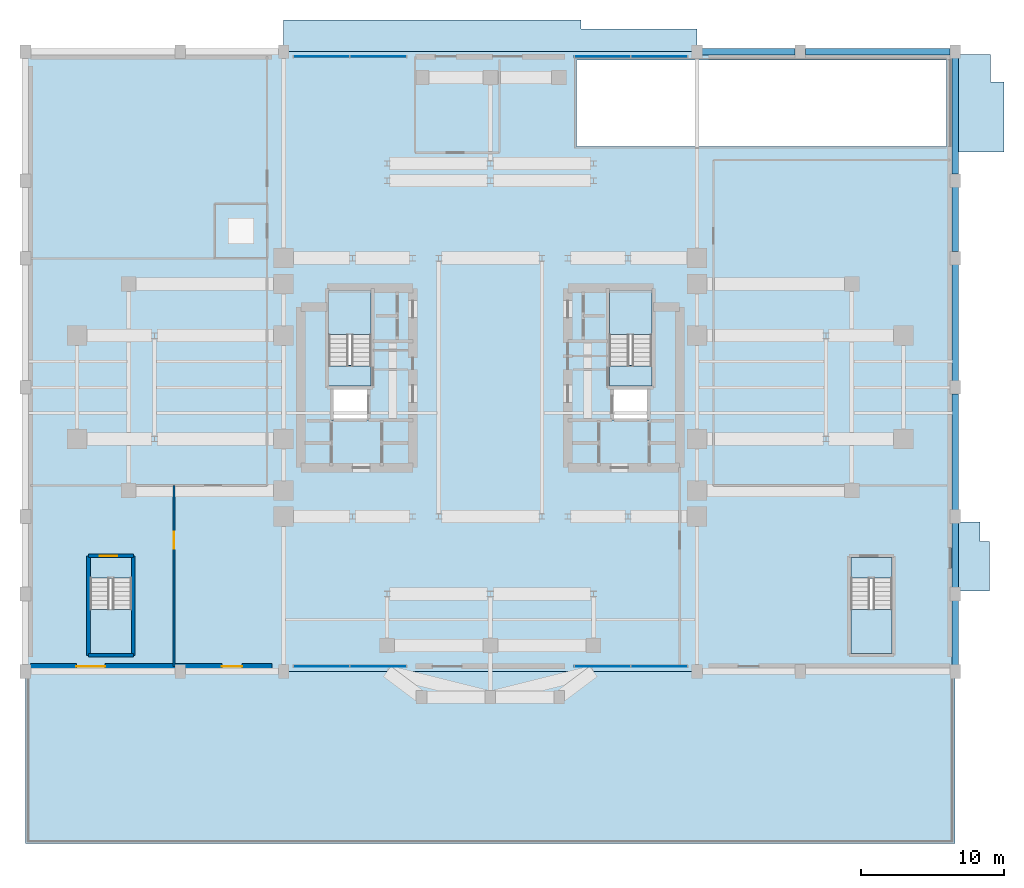
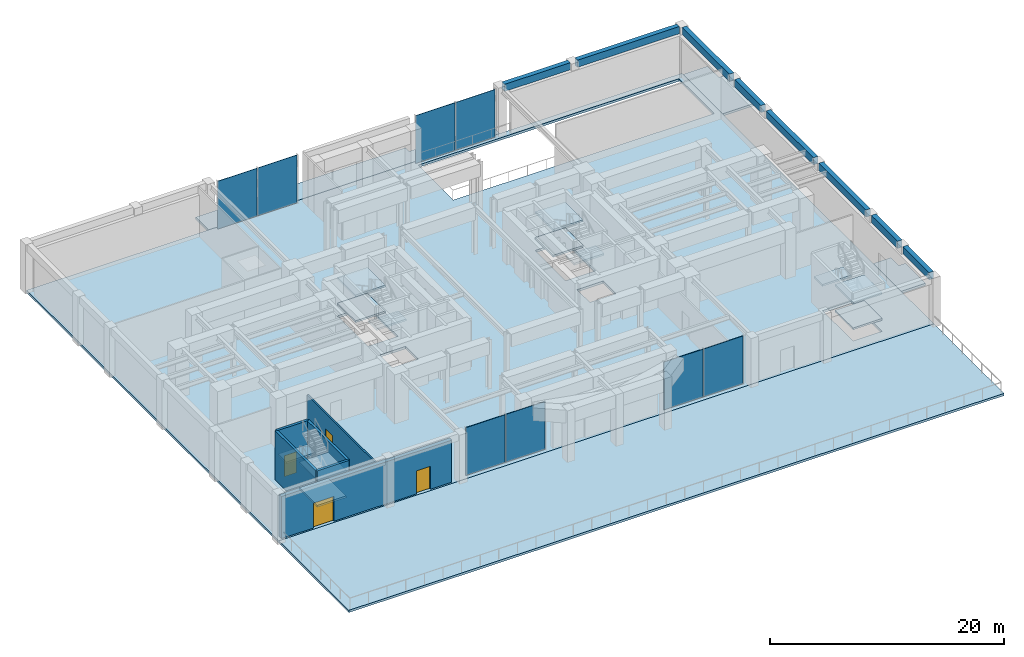
# One storey, part 9 of 17: 17 slabs, 8 beams, 8 plates, 6 walls, 4 doors, 4 openings, 8 elements without a shape of their own.
"""IFC4 building model written with IfcOpenShell, lengths in metres."""

from ifc_helpers import new_model, si_unit, direction, frame, frame_2d, origin, origin_2d, place, context, subcontext, project, spatial, polyline, rectangle, outline, extrude, source, transform, mapped, material, layer, layer_set, material_profile, profile_set, type_object, element, fill, aggregate, save


model = new_model("IFC4")

# Units and contexts
model_context = context("Model", 3, precision=1e-05, world=origin(), true_north=direction((0.0, 1.0)))
body_context = subcontext(model_context, "Body", "Model", "MODEL_VIEW")
ifc_project = project(units=[si_unit("LENGTHUNIT", "METRE"), si_unit("AREAUNIT", "SQUARE_METRE"), si_unit("VOLUMEUNIT", "CUBIC_METRE"), si_unit("PLANEANGLEUNIT", "RADIAN"), si_unit("MASSUNIT", "GRAM", prefix="KILO")], contexts=[model_context])

# Site, building, storey
site_placement = place(None, origin())
site = spatial("IfcSite", under=ifc_project, at=site_placement, CompositionType="ELEMENT")
building_placement = place(site_placement, origin())
building = spatial("IfcBuilding", under=site, at=building_placement, Name="Keilestroom Media Tower", CompositionType="ELEMENT")
storey_placement = place(building_placement, origin())
storey = spatial("IfcBuildingStorey", under=building, at=storey_placement, Name="L00", CompositionType="ELEMENT", Elevation=0.0)

# Beams
ifc_material_1 = material(Name="Precast concrete C40/50", Category="concrete")
ifc_material_profile = material_profile(ifc_material_1, rectangle(XDim=0.449951171875, YDim=0.75, at=origin_2d()), Name="PC 450x750")
ifc_profile_set = profile_set([ifc_material_profile], Name="Precast concrete C40/50")
beam_type = type_object("IfcBeamType", Name="Perimeter-Spandrel-Beam-PC-450x750", PredefinedType="SPANDREL", material=ifc_profile_set)
shared_shape_1 = source(origin(), body_context, "Body", "SweptSolid", [
    extrude(rectangle(XDim=0.449951171875, YDim=0.75, at=origin_2d()), origin(), (0.0, 0.0, 1.0), 10.08984375),
])
beam_1_placement = place(storey_placement, frame((21.955078125, 23.39990234375, 4.77490234375), z_axis=(1.0, 0.0, 0.0), x_axis=(0.0, 1.0, 0.0)))
element("IfcBeam", 1, at=beam_1_placement, inside=storey, type_object=beam_type, Name="L00 Beam SPB-1 BM-L00-EW-044", PredefinedType="SPANDREL", context=body_context, shape_type="MappedRepresentation", body=[
    mapped(shared_shape_1, transform((0.0, 0.0, 0.0), x_axis=(1.0, 0.0, 0.0), y_axis=(0.0, 1.0, 0.0), z_axis=(0.0, 0.0, 1.0), scale=1.0)),
])
shared_shape_2 = source(origin(), body_context, "Body", "SweptSolid", [
    extrude(rectangle(XDim=0.449951171875, YDim=0.75, at=origin_2d()), origin(), (0.0, 0.0, 1.0), 6.490234375),
])
beam_2_placement = place(storey_placement, frame((14.7548828125, 23.39990234375, 4.77490234375), z_axis=(1.0, 0.0, 0.0), x_axis=(0.0, 1.0, 0.0)))
element("IfcBeam", 2, at=beam_2_placement, inside=storey, type_object=beam_type, Name="L00 Beam SPB-1 BM-L00-EW-043", PredefinedType="SPANDREL", context=body_context, shape_type="MappedRepresentation", body=[
    mapped(shared_shape_2, transform((0.0, 0.0, 0.0), x_axis=(1.0, 0.0, 0.0), y_axis=(0.0, 1.0, 0.0), z_axis=(0.0, 0.0, 1.0), scale=1.0)),
])
shared_shape_3 = source(origin(), body_context, "Body", "SweptSolid", [
    extrude(rectangle(XDim=0.449951171875, YDim=0.75, at=origin_2d()), origin(), (0.0, 0.0, 1.0), 4.489990234375),
])
for number, where, z_axis, x_axis, name in (
    (3, (32.39990234375, -19.344970703125, 4.77490234375), (0.0, 1.0, 0.0), (-1.0, 0.0, 0.0), "L00 Beam SPB-1 BM-L00-NS-085"),
    (4, (32.39990234375, -13.945068359375, 4.77490234375), (0.0, 1.0, 0.0), (-1.0, 0.0, 0.0), "L00 Beam SPB-1 BM-L00-NS-086"),
    (5, (32.39990234375, 9.455078125, 4.77490234375), (0.0, 1.0, 0.0), (-1.0, 0.0, 0.0), "L00 Beam SPB-1 BM-L00-NS-089"),
):
    element("IfcBeam", number, at=place(storey_placement, frame(where, z_axis=z_axis, x_axis=x_axis)), inside=storey, type_object=beam_type, Name=name, PredefinedType="SPANDREL", context=body_context, shape_type="MappedRepresentation", body=[
        mapped(shared_shape_3, transform((0.0, 0.0, 0.0), x_axis=(1.0, 0.0, 0.0), y_axis=(0.0, 1.0, 0.0), z_axis=(0.0, 0.0, 1.0), scale=1.0)),
    ])
shared_shape_4 = source(origin(), body_context, "Body", "SweptSolid", [
    extrude(rectangle(XDim=0.449951171875, YDim=0.75, at=origin_2d()), origin(), (0.0, 0.0, 1.0), 8.08984375),
])
for number, where, z_axis, x_axis, name in (
    (6, (32.39990234375, -8.544921875, 4.77490234375), (0.0, 1.0, 0.0), (-1.0, 0.0, 0.0), "L00 Beam SPB-1 BM-L00-NS-087"),
    (7, (32.39990234375, 0.455078125, 4.77490234375), (0.0, 1.0, 0.0), (-1.0, 0.0, 0.0), "L00 Beam SPB-1 BM-L00-NS-088"),
):
    element("IfcBeam", number, at=place(storey_placement, frame(where, z_axis=z_axis, x_axis=x_axis)), inside=storey, type_object=beam_type, Name=name, PredefinedType="SPANDREL", context=body_context, shape_type="MappedRepresentation", body=[
        mapped(shared_shape_4, transform((0.0, 0.0, 0.0), x_axis=(1.0, 0.0, 0.0), y_axis=(0.0, 1.0, 0.0), z_axis=(0.0, 0.0, 1.0), scale=1.0)),
    ])
shared_shape_5 = source(origin(), body_context, "Body", "SweptSolid", [
    extrude(rectangle(XDim=0.449951171875, YDim=0.75, at=origin_2d()), origin(), (0.0, 0.0, 1.0), 8.090087890625),
])
beam_3_placement = place(storey_placement, frame((32.39990234375, 14.85498046875, 4.77490234375), z_axis=(0.0, 1.0, 0.0), x_axis=(-1.0, 0.0, 0.0)))
element("IfcBeam", 8, at=beam_3_placement, inside=storey, type_object=beam_type, Name="L00 Beam SPB-1 BM-L00-NS-090", PredefinedType="SPANDREL", context=body_context, shape_type="MappedRepresentation", body=[
    mapped(shared_shape_5, transform((0.0, 0.0, 0.0), x_axis=(1.0, 0.0, 0.0), y_axis=(0.0, 1.0, 0.0), z_axis=(0.0, 0.0, 1.0), scale=1.0)),
])

# Slab
ifc_material_2 = material(Name="Concrete C50/60", Category="concrete")
ifc_layer_1 = layer(ifc_material_2, 0.25)
ifc_layer_set_1 = layer_set([ifc_layer_1], Name="Concrete C50/60")
slab_type_1 = type_object("IfcSlabType", Name="Composite-Floor-Slab-250", PredefinedType="FLOOR", material=ifc_layer_set_1)
slab_1_placement = place(storey_placement, frame((0.0, 0.0, -0.25)))
element("IfcSlab", 9, at=slab_1_placement, inside=storey, type_object=slab_type_1, Name="L00 Structural Composite Floor Slab", PredefinedType="FLOOR", context=body_context, shape_type="SweptSolid", body=[
    extrude(outline(polyline([(-32.39990234375, -19.800048828125), (32.39990234375, -19.800048828125), (32.39990234375, 23.39990234375), (-32.39990234375, 23.39990234375), (-32.39990234375, -19.800048828125)]), holes=[polyline([(-25.0, -13.3349609375), (-25.0, -18.550048828125), (-27.8798828125, -18.550048828125), (-27.8798828125, -13.3349609375), (-25.0, -13.3349609375)]), polyline([(-8.300048828125, 1.544921875), (-11.260009765625, 1.544921875), (-11.260009765625, 6.760009765625), (-8.300048828125, 6.760009765625), (-8.300048828125, 1.544921875)]), polyline([(-8.47998046875, -2.280029296875), (-11.050048828125, -2.280029296875), (-11.050048828125, -0.10009765625), (-8.47998046875, -0.10009765625), (-8.47998046875, -2.280029296875)]), polyline([(31.800048828125, 16.800048828125), (6.0, 16.800048828125), (6.0, 22.800048828125), (31.800048828125, 22.800048828125), (31.800048828125, 16.800048828125)]), polyline([(11.260009765625, 1.544921875), (8.300048828125, 1.544921875), (8.300048828125, 6.760009765625), (11.260009765625, 6.760009765625), (11.260009765625, 1.544921875)]), polyline([(11.050048828125, -2.280029296875), (8.47998046875, -2.280029296875), (8.47998046875, -0.10009765625), (11.050048828125, -0.10009765625), (11.050048828125, -2.280029296875)]), polyline([(28.0, -18.550048828125), (25.1201171875, -18.550048828125), (25.1201171875, -13.3349609375), (28.0, -13.3349609375), (28.0, -18.550048828125)])]), origin(), (0.0, 0.0, 1.0), 0.25),
])

# Stair, slabs
ifc_material_3 = material(Name="Concrete C45/55", Category="concrete")
stair_type_1 = type_object("IfcStairType", Name="Enclosed-Dog-Leg-Stair-ST-CORE", PredefinedType="HALF_TURN_STAIR", material=ifc_material_3)
stair_1_placement = place(storey_placement, origin())
stair_1 = element("IfcStair", 10, at=stair_1_placement, inside=storey, type_object=stair_type_1, Name="L00 West Core Escape Stair ST-1", PredefinedType="HALF_TURN_STAIR")
ifc_layer_2 = layer(ifc_material_3, 0.199951171875)
ifc_layer_set_2 = layer_set([ifc_layer_2], Name="Concrete C45/55")
slab_type_2 = type_object("IfcSlabType", Name="Stair-Intermediate-And-Top-Landing-Slab-200", PredefinedType="LANDING", material=ifc_layer_set_2)
slab_2_placement = place(storey_placement, frame((0.0, 0.0, 1.14990234375)))
slab_2 = element("IfcSlab", 11, at=slab_2_placement, type_object=slab_type_2, Name="ST-1 landing 1", PredefinedType="LANDING", context=body_context, shape_type="SweptSolid", body=[
    extrude(outline(polyline([(-8.300048828125, 3.68408203125), (-8.300048828125, 6.760009765625), (-11.260009765625, 6.760009765625), (-11.260009765625, 3.68408203125), (-8.300048828125, 3.68408203125)])), origin(), (0.0, 0.0, 1.0), 0.2001953125),
])
slab_3_placement = place(storey_placement, frame((0.0, 0.0, 2.5)))
slab_3 = element("IfcSlab", 12, at=slab_3_placement, type_object=slab_type_2, Name="ST-1 landing 2", PredefinedType="LANDING", context=body_context, shape_type="SweptSolid", body=[
    extrude(outline(polyline([(-8.300048828125, 0.080078125), (-8.300048828125, 1.5), (-11.260009765625, 1.5), (-11.260009765625, 0.080078125), (-8.300048828125, 0.080078125)])), origin(), (0.0, 0.0, 1.0), 0.199951171875),
])
slab_4_placement = place(storey_placement, frame((0.0, 0.0, 3.85009765625)))
slab_4 = element("IfcSlab", 13, at=slab_4_placement, type_object=slab_type_2, Name="ST-1 landing 3", PredefinedType="LANDING", context=body_context, shape_type="SweptSolid", body=[
    extrude(outline(polyline([(-8.300048828125, 3.68408203125), (-8.300048828125, 6.760009765625), (-11.260009765625, 6.760009765625), (-11.260009765625, 3.68408203125), (-8.300048828125, 3.68408203125)])), origin(), (0.0, 0.0, 1.0), 0.199951171875),
])
aggregate(stair_1, [slab_2, slab_3, slab_4])

stair_2_placement = place(storey_placement, origin())
stair_2 = element("IfcStair", 14, at=stair_2_placement, inside=storey, type_object=stair_type_1, Name="L00 East Core Escape Stair ST-2", PredefinedType="HALF_TURN_STAIR")
slab_5_placement = place(storey_placement, frame((0.0, 0.0, 1.14990234375)))
slab_5 = element("IfcSlab", 15, at=slab_5_placement, type_object=slab_type_2, Name="ST-2 landing 1", PredefinedType="LANDING", context=body_context, shape_type="SweptSolid", body=[
    extrude(outline(polyline([(11.260009765625, 3.68408203125), (11.260009765625, 6.760009765625), (8.300048828125, 6.760009765625), (8.300048828125, 3.68408203125), (11.260009765625, 3.68408203125)])), origin(), (0.0, 0.0, 1.0), 0.2001953125),
])
slab_6_placement = place(storey_placement, frame((0.0, 0.0, 2.5)))
slab_6 = element("IfcSlab", 16, at=slab_6_placement, type_object=slab_type_2, Name="ST-2 landing 2", PredefinedType="LANDING", context=body_context, shape_type="SweptSolid", body=[
    extrude(outline(polyline([(11.260009765625, 0.080078125), (11.260009765625, 1.5), (8.300048828125, 1.5), (8.300048828125, 0.080078125), (11.260009765625, 0.080078125)])), origin(), (0.0, 0.0, 1.0), 0.199951171875),
])
slab_7_placement = place(storey_placement, frame((0.0, 0.0, 3.85009765625)))
slab_7 = element("IfcSlab", 17, at=slab_7_placement, type_object=slab_type_2, Name="ST-2 landing 3", PredefinedType="LANDING", context=body_context, shape_type="SweptSolid", body=[
    extrude(outline(polyline([(11.260009765625, 3.68408203125), (11.260009765625, 6.760009765625), (8.300048828125, 6.760009765625), (8.300048828125, 3.68408203125), (11.260009765625, 3.68408203125)])), origin(), (0.0, 0.0, 1.0), 0.199951171875),
])
aggregate(stair_2, [slab_5, slab_6, slab_7])

stair_type_2 = type_object("IfcStairType", Name="Enclosed-Dog-Leg-Stair-ST-POD", PredefinedType="HALF_TURN_STAIR", material=ifc_material_3)
stair_3_placement = place(storey_placement, origin())
stair_3 = element("IfcStair", 18, at=stair_3_placement, inside=storey, type_object=stair_type_2, Name="L00 Podium West Studio Escape Stair ST-3", PredefinedType="HALF_TURN_STAIR")
slab_8_placement = place(storey_placement, frame((0.0, 0.0, 1.14990234375)))
slab_8 = element("IfcSlab", 19, at=slab_8_placement, type_object=slab_type_2, Name="ST-3 landing 1", PredefinedType="LANDING", context=body_context, shape_type="SweptSolid", body=[
    extrude(outline(polyline([(-27.8798828125, -15.47412109375), (-27.8798828125, -18.550048828125), (-25.0, -18.550048828125), (-25.0, -15.47412109375), (-27.8798828125, -15.47412109375)])), origin(), (0.0, 0.0, 1.0), 0.2001953125),
])
slab_9_placement = place(storey_placement, frame((0.0, 0.0, 2.5)))
slab_9 = element("IfcSlab", 20, at=slab_9_placement, type_object=slab_type_2, Name="ST-3 landing 2", PredefinedType="LANDING", context=body_context, shape_type="SweptSolid", body=[
    extrude(outline(polyline([(-27.8798828125, -11.8701171875), (-27.8798828125, -13.2900390625), (-25.0, -13.2900390625), (-25.0, -11.8701171875), (-27.8798828125, -11.8701171875)])), origin(), (0.0, 0.0, 1.0), 0.199951171875),
])
slab_10_placement = place(storey_placement, frame((0.0, 0.0, 3.85009765625)))
slab_10 = element("IfcSlab", 21, at=slab_10_placement, type_object=slab_type_2, Name="ST-3 landing 3", PredefinedType="LANDING", context=body_context, shape_type="SweptSolid", body=[
    extrude(outline(polyline([(-27.8798828125, -15.47412109375), (-27.8798828125, -18.550048828125), (-25.0, -18.550048828125), (-25.0, -15.47412109375), (-27.8798828125, -15.47412109375)])), origin(), (0.0, 0.0, 1.0), 0.199951171875),
])
aggregate(stair_3, [slab_8, slab_9, slab_10])

stair_4_placement = place(storey_placement, origin())
stair_4 = element("IfcStair", 22, at=stair_4_placement, inside=storey, type_object=stair_type_2, Name="L00 Podium East Studio Escape Stair ST-4", PredefinedType="HALF_TURN_STAIR")
slab_11_placement = place(storey_placement, frame((0.0, 0.0, 1.14990234375)))
slab_11 = element("IfcSlab", 23, at=slab_11_placement, type_object=slab_type_2, Name="ST-4 landing 1", PredefinedType="LANDING", context=body_context, shape_type="SweptSolid", body=[
    extrude(outline(polyline([(25.1201171875, -15.47412109375), (25.1201171875, -18.550048828125), (28.0, -18.550048828125), (28.0, -15.47412109375), (25.1201171875, -15.47412109375)])), origin(), (0.0, 0.0, 1.0), 0.2001953125),
])
slab_12_placement = place(storey_placement, frame((0.0, 0.0, 2.5)))
slab_12 = element("IfcSlab", 24, at=slab_12_placement, type_object=slab_type_2, Name="ST-4 landing 2", PredefinedType="LANDING", context=body_context, shape_type="SweptSolid", body=[
    extrude(outline(polyline([(25.1201171875, -11.8701171875), (25.1201171875, -13.2900390625), (28.0, -13.2900390625), (28.0, -11.8701171875), (25.1201171875, -11.8701171875)])), origin(), (0.0, 0.0, 1.0), 0.199951171875),
])
slab_13_placement = place(storey_placement, frame((0.0, 0.0, 3.85009765625)))
slab_13 = element("IfcSlab", 25, at=slab_13_placement, type_object=slab_type_2, Name="ST-4 landing 3", PredefinedType="LANDING", context=body_context, shape_type="SweptSolid", body=[
    extrude(outline(polyline([(25.1201171875, -15.47412109375), (25.1201171875, -18.550048828125), (28.0, -18.550048828125), (28.0, -15.47412109375), (25.1201171875, -15.47412109375)])), origin(), (0.0, 0.0, 1.0), 0.199951171875),
])
aggregate(stair_4, [slab_11, slab_12, slab_13])

# Slabs
ifc_layer_3 = layer(ifc_material_1, 0.239990234375)
ifc_layer_set_3 = layer_set([ifc_layer_3], Name="Precast concrete C40/50")
slab_type_3 = type_object("IfcSlabType", Name="Waterfront-Promenade-Paving-Slab-240", PredefinedType="USERDEFINED", material=ifc_layer_set_3)
slab_14_placement = place(storey_placement, frame((0.0, 0.0, -0.239990234375)))
element("IfcSlab", 26, at=slab_14_placement, inside=storey, type_object=slab_type_3, Name="L00 Waterfront Quay Promenade Paving", ObjectType="PAVING", PredefinedType="USERDEFINED", context=body_context, shape_type="SweptSolid", body=[
    extrude(outline(polyline([(-32.39990234375, -31.800048828125), (32.39990234375, -31.800048828125), (32.39990234375, -19.800048828125), (-32.39990234375, -19.800048828125), (-32.39990234375, -31.800048828125)])), origin(), (0.0, 0.0, 1.0), 0.239990234375),
])
slab_15_placement = place(storey_placement, frame((0.0, 0.0, -0.239990234375)))
element("IfcSlab", 27, at=slab_15_placement, inside=storey, type_object=slab_type_3, Name="L00 North Entrance Arrival Apron Paving", ObjectType="PAVING", PredefinedType="USERDEFINED", context=body_context, shape_type="SweptSolid", body=[
    extrude(outline(polyline([(-14.39990234375, 23.39990234375), (14.39990234375, 23.39990234375), (14.39990234375, 24.98388671875), (6.3359375, 24.98388671875), (6.3359375, 25.60009765625), (-14.39990234375, 25.60009765625), (-14.39990234375, 23.39990234375)])), origin(), (0.0, 0.0, 1.0), 0.239990234375),
])
slab_16_placement = place(storey_placement, frame((0.0, 0.0, -0.239990234375)))
element("IfcSlab", 28, at=slab_16_placement, inside=storey, type_object=slab_type_3, Name="L00 East Core Discharge Apron Paving", ObjectType="PAVING", PredefinedType="USERDEFINED", context=body_context, shape_type="SweptSolid", body=[
    extrude(outline(polyline([(32.39990234375, -14.199951171875), (34.800048828125, -14.199951171875), (34.800048828125, -10.743896484375), (34.1279296875, -10.743896484375), (34.1279296875, -9.39990234375), (32.39990234375, -9.39990234375), (32.39990234375, -14.199951171875)])), origin(), (0.0, 0.0, 1.0), 0.239990234375),
])
slab_17_placement = place(storey_placement, frame((0.0, 0.0, -0.239990234375)))
element("IfcSlab", 29, at=slab_17_placement, inside=storey, type_object=slab_type_3, Name="L00 East Vehicle Ramp Driveway Apron Paving", ObjectType="PAVING", PredefinedType="USERDEFINED", context=body_context, shape_type="SweptSolid", body=[
    extrude(outline(polyline([(32.39990234375, 16.39990234375), (35.800048828125, 16.39990234375), (35.800048828125, 21.2958984375), (34.847900390625, 21.2958984375), (34.847900390625, 23.199951171875), (32.39990234375, 23.199951171875), (32.39990234375, 16.39990234375)])), origin(), (0.0, 0.0, 1.0), 0.239990234375),
])

# Curtain wall, plates
ifc_material_4 = material(Name="Anodised Aluminium Alloy", Category="aluminium")
curtain_wall_type = type_object("IfcCurtainWallType", Name="Unitised-Curtain-Wall-CW-7", PredefinedType="NOTDEFINED", material=ifc_material_4)
curtain_wall_1_placement = place(storey_placement, origin())
curtain_wall_1 = element("IfcCurtainWall", 30, at=curtain_wall_1_placement, inside=storey, type_object=curtain_wall_type, Name="L00 Curtain Wall CW-7 CW-L00-S-ATR", PredefinedType="NOTDEFINED")
ifc_material_5 = material(Name="Clear Structural Low-Iron Lobby Glazing", Category="glass")
ifc_layer_4 = layer(ifc_material_5, 0.0458984375)
ifc_layer_set_4 = layer_set([ifc_layer_4], Name="Clear Structural Low-Iron Lobby Glazing")
plate_type = type_object("IfcPlateType", Name="Insulated-Curtain-Wall-Glazing-Panel-CW-7", PredefinedType="CURTAIN_PANEL", material=ifc_layer_set_4)
shared_shape_6 = source(origin(), body_context, "Body", "SweptSolid", [
    extrude(rectangle(XDim=3.89306640625, YDim=0.0458984375, at=origin_2d()), origin(), (0.0, 0.0, 1.0), 5.00390625),
])
plate_1_placement = place(storey_placement, frame((-11.767578125, -19.449951171875, 0.072998046875), z_axis=(0.0, 0.0, 1.0), x_axis=(1.0, 0.0, 0.0)))
plate_1 = element("IfcPlate", 31, at=plate_1_placement, type_object=plate_type, Name="CW-7 Unitised Glazing 00", PredefinedType="CURTAIN_PANEL", context=body_context, shape_type="MappedRepresentation", body=[
    mapped(shared_shape_6, transform((0.0, 0.0, 0.0), x_axis=(1.0, 0.0, 0.0), y_axis=(0.0, 1.0, 0.0), z_axis=(0.0, 0.0, 1.0), scale=1.0)),
])
plate_2_placement = place(storey_placement, frame((-7.8125, -19.449951171875, 0.072998046875), z_axis=(0.0, 0.0, 1.0), x_axis=(1.0, 0.0, 0.0)))
plate_2 = element("IfcPlate", 32, at=plate_2_placement, type_object=plate_type, Name="CW-7 Unitised Glazing 01", PredefinedType="CURTAIN_PANEL", context=body_context, shape_type="MappedRepresentation", body=[
    mapped(shared_shape_6, transform((0.0, 0.0, 0.0), x_axis=(1.0, 0.0, 0.0), y_axis=(0.0, 1.0, 0.0), z_axis=(0.0, 0.0, 1.0), scale=1.0)),
])
aggregate(curtain_wall_1, [plate_1, plate_2])

curtain_wall_2_placement = place(storey_placement, origin())
curtain_wall_2 = element("IfcCurtainWall", 33, at=curtain_wall_2_placement, inside=storey, type_object=curtain_wall_type, Name="L00 Curtain Wall CW-7 CW-L00-S-ATE", PredefinedType="NOTDEFINED")
plate_3_placement = place(storey_placement, frame((7.8125, -19.449951171875, 0.072998046875), z_axis=(0.0, 0.0, 1.0), x_axis=(1.0, 0.0, 0.0)))
plate_3 = element("IfcPlate", 34, at=plate_3_placement, type_object=plate_type, Name="CW-7 Unitised Glazing 00", PredefinedType="CURTAIN_PANEL", context=body_context, shape_type="MappedRepresentation", body=[
    mapped(shared_shape_6, transform((0.0, 0.0, 0.0), x_axis=(1.0, 0.0, 0.0), y_axis=(0.0, 1.0, 0.0), z_axis=(0.0, 0.0, 1.0), scale=1.0)),
])
plate_4_placement = place(storey_placement, frame((11.767578125, -19.449951171875, 0.072998046875), z_axis=(0.0, 0.0, 1.0), x_axis=(1.0, 0.0, 0.0)))
plate_4 = element("IfcPlate", 35, at=plate_4_placement, type_object=plate_type, Name="CW-7 Unitised Glazing 01", PredefinedType="CURTAIN_PANEL", context=body_context, shape_type="MappedRepresentation", body=[
    mapped(shared_shape_6, transform((0.0, 0.0, 0.0), x_axis=(1.0, 0.0, 0.0), y_axis=(0.0, 1.0, 0.0), z_axis=(0.0, 0.0, 1.0), scale=1.0)),
])
aggregate(curtain_wall_2, [plate_3, plate_4])

curtain_wall_3_placement = place(storey_placement, origin())
curtain_wall_3 = element("IfcCurtainWall", 36, at=curtain_wall_3_placement, inside=storey, type_object=curtain_wall_type, Name="L00 Curtain Wall CW-7 CW-L00-N-ATW", PredefinedType="NOTDEFINED")
plate_5_placement = place(storey_placement, frame((-11.767578125, 23.050048828125, 0.072998046875), z_axis=(0.0, 0.0, 1.0), x_axis=(1.0, 0.0, 0.0)))
plate_5 = element("IfcPlate", 37, at=plate_5_placement, type_object=plate_type, Name="CW-7 Unitised Glazing 00", PredefinedType="CURTAIN_PANEL", context=body_context, shape_type="MappedRepresentation", body=[
    mapped(shared_shape_6, transform((0.0, 0.0, 0.0), x_axis=(1.0, 0.0, 0.0), y_axis=(0.0, 1.0, 0.0), z_axis=(0.0, 0.0, 1.0), scale=1.0)),
])
plate_6_placement = place(storey_placement, frame((-7.8125, 23.050048828125, 0.072998046875), z_axis=(0.0, 0.0, 1.0), x_axis=(1.0, 0.0, 0.0)))
plate_6 = element("IfcPlate", 38, at=plate_6_placement, type_object=plate_type, Name="CW-7 Unitised Glazing 01", PredefinedType="CURTAIN_PANEL", context=body_context, shape_type="MappedRepresentation", body=[
    mapped(shared_shape_6, transform((0.0, 0.0, 0.0), x_axis=(1.0, 0.0, 0.0), y_axis=(0.0, 1.0, 0.0), z_axis=(0.0, 0.0, 1.0), scale=1.0)),
])
aggregate(curtain_wall_3, [plate_5, plate_6])

curtain_wall_4_placement = place(storey_placement, origin())
curtain_wall_4 = element("IfcCurtainWall", 39, at=curtain_wall_4_placement, inside=storey, type_object=curtain_wall_type, Name="L00 Curtain Wall CW-7 CW-L00-N-ATE", PredefinedType="NOTDEFINED")
plate_7_placement = place(storey_placement, frame((7.8125, 23.050048828125, 0.072998046875), z_axis=(0.0, 0.0, 1.0), x_axis=(1.0, 0.0, 0.0)))
plate_7 = element("IfcPlate", 40, at=plate_7_placement, type_object=plate_type, Name="CW-7 Unitised Glazing 00", PredefinedType="CURTAIN_PANEL", context=body_context, shape_type="MappedRepresentation", body=[
    mapped(shared_shape_6, transform((0.0, 0.0, 0.0), x_axis=(1.0, 0.0, 0.0), y_axis=(0.0, 1.0, 0.0), z_axis=(0.0, 0.0, 1.0), scale=1.0)),
])
plate_8_placement = place(storey_placement, frame((11.767578125, 23.050048828125, 0.072998046875), z_axis=(0.0, 0.0, 1.0), x_axis=(1.0, 0.0, 0.0)))
plate_8 = element("IfcPlate", 41, at=plate_8_placement, type_object=plate_type, Name="CW-7 Unitised Glazing 01", PredefinedType="CURTAIN_PANEL", context=body_context, shape_type="MappedRepresentation", body=[
    mapped(shared_shape_6, transform((0.0, 0.0, 0.0), x_axis=(1.0, 0.0, 0.0), y_axis=(0.0, 1.0, 0.0), z_axis=(0.0, 0.0, 1.0), scale=1.0)),
])
aggregate(curtain_wall_4, [plate_7, plate_8])

# Wall, openings, doors
ifc_layer_5 = layer(ifc_material_1, 0.3798828125)
ifc_layer_set_5 = layer_set([ifc_layer_5], Name="Precast concrete C40/50")
wall_type_1 = type_object("IfcWallType", Name="Exterior-Masonry-Spandrel-Wall-380", PredefinedType="SOLIDWALL", material=ifc_layer_set_5)
wall_1_placement = place(storey_placement, frame((-32.050048828125, -19.449951171875, 0.0), z_axis=(0.0, 0.0, 1.0), x_axis=(1.0, 0.0, 0.0)))
wall_1 = element("IfcWall", 42, at=wall_1_placement, inside=storey, type_object=wall_type_1, Name="L00 Podium Precast Masonry Wall EWL-L00-S-W", PredefinedType="SOLIDWALL", context=body_context, shape_type="SweptSolid", body=[
    extrude(rectangle(XDim=16.85009765625, YDim=0.3798828125, at=frame_2d((8.425048828125, 0.0))), origin(), (0.0, 0.0, 1.0), 4.39990234375),
])
opening_1_placement = place(wall_1_placement, frame((3.199951171875, 0.0, 0.0)))
opening_1 = element("IfcOpeningElement", 43, at=opening_1_placement, cuts=wall_1, Name="Opening DE-01", PredefinedType="OPENING", context=body_context, shape_type="SweptSolid", body=[
    extrude(rectangle(XDim=2.0, YDim=2.60009765625, at=frame_2d((1.0, 1.300048828125))), frame((0.0, 0.199951171875, 0.0), z_axis=(0.0, -1.0, 0.0), x_axis=(1.0, 0.0, 0.0)), (0.0, 0.0, 1.0), 0.39990234375),
])
opening_2_placement = place(wall_1_placement, frame((13.35009765625, 0.0, 0.0)))
opening_2 = element("IfcOpeningElement", 44, at=opening_2_placement, cuts=wall_1, Name="Opening DE-03", PredefinedType="OPENING", context=body_context, shape_type="SweptSolid", body=[
    extrude(rectangle(XDim=1.39990234375, YDim=2.39990234375, at=frame_2d((0.699951171875, 1.199951171875))), frame((0.0, 0.199951171875, 0.0), z_axis=(0.0, -1.0, 0.0), x_axis=(1.0, 0.0, 0.0)), (0.0, 0.0, 1.0), 0.39990234375),
])
ifc_material_6 = material(Name="Thermally Broken Aluminium & Laminated Glass", Category="aluminium")
door_type_1 = type_object("IfcDoorType", Name="Exterior-Entrance-And-Terrace-Door-DE-01", OperationType="DOUBLE_DOOR_SINGLE_SWING", PredefinedType="DOOR", material=ifc_material_6)
shared_shape_7 = source(origin(), body_context, "Body", "SweptSolid", [
    extrude(rectangle(XDim=2.0, YDim=2.60009765625, at=frame_2d((1.0, 1.300048828125))), frame((0.0, 0.02490234375, 0.0), z_axis=(0.0, -1.0, 0.0), x_axis=(1.0, 0.0, 0.0)), (0.0, 0.0, 1.0), 0.050048828125),
])
door_1_placement = place(opening_1_placement, frame((2.0, 0.0, 0.0), z_axis=(0.0, 0.0, 1.0), x_axis=(-1.0, 0.0, 0.0)))
door_1 = element("IfcDoor", 45, at=door_1_placement, inside=storey, type_object=door_type_1, Name="Waterfront Quay West Entrance DE-01", OperationType="DOUBLE_DOOR_SINGLE_SWING", OverallHeight=2.60009765625, OverallWidth=2.0, PredefinedType="DOOR", context=body_context, shape_type="MappedRepresentation", body=[
    mapped(shared_shape_7, transform((0.0, 0.0, 0.0), x_axis=(1.0, 0.0, 0.0), y_axis=(0.0, 1.0, 0.0), z_axis=(0.0, 0.0, 1.0), scale=1.0)),
])
fill(opening_1, door_1)
ifc_material_7 = material(Name="Powder-Coated Steel Exit Leaf", Category="steel")
door_type_2 = type_object("IfcDoorType", Name="Exterior-Entrance-And-Terrace-Door-DE-03", OperationType="DOUBLE_DOOR_SINGLE_SWING", PredefinedType="DOOR", material=ifc_material_7)
shared_shape_8 = source(origin(), body_context, "Body", "SweptSolid", [
    extrude(rectangle(XDim=1.39990234375, YDim=2.39990234375, at=frame_2d((0.699951171875, 1.199951171875))), frame((0.0, 0.02490234375, 0.0), z_axis=(0.0, -1.0, 0.0), x_axis=(1.0, 0.0, 0.0)), (0.0, 0.0, 1.0), 0.050048828125),
])
door_2_placement = place(opening_2_placement, frame((1.39990234375, 0.0, 0.0), z_axis=(0.0, 0.0, 1.0), x_axis=(-1.0, 0.0, 0.0)))
door_2 = element("IfcDoor", 46, at=door_2_placement, inside=storey, type_object=door_type_2, Name="Stair ST-3 Final Exit Door DE-03", OperationType="DOUBLE_DOOR_SINGLE_SWING", OverallHeight=2.39990234375, OverallWidth=1.39990234375, PredefinedType="DOOR", context=body_context, shape_type="MappedRepresentation", body=[
    mapped(shared_shape_8, transform((0.0, 0.0, 0.0), x_axis=(1.0, 0.0, 0.0), y_axis=(0.0, 1.0, 0.0), z_axis=(0.0, 0.0, 1.0), scale=1.0)),
])
fill(opening_2, door_2)

# Wall, opening, door
ifc_material_8 = material(Name="Gypsum Plasterboard & Steel Stud", Category="steel")
ifc_layer_6 = layer(ifc_material_8, 0.14990234375)
ifc_layer_set_6 = layer_set([ifc_layer_6], Name="Gypsum Plasterboard & Steel Stud")
wall_type_2 = type_object("IfcWallType", Name="Interior-Partition-Wall-150", PredefinedType="PARTITIONING", material=ifc_layer_set_6)
wall_2_placement = place(storey_placement, frame((-22.050048828125, -19.449951171875, 0.0), z_axis=(0.0, 0.0, 1.0), x_axis=(0.0, 1.0, 0.0)))
wall_2 = element("IfcWall", 47, at=wall_2_placement, inside=storey, type_object=wall_type_2, Name="L00 Interior Wall WP-L00-L00-EXPASS-W-E", PredefinedType="PARTITIONING", context=body_context, shape_type="SweptSolid", body=[
    extrude(rectangle(XDim=12.599853515625, YDim=0.14990234375, at=frame_2d((6.2998046875, 0.0))), origin(), (0.0, 0.0, 1.0), 3.800048828125),
])
opening_3_placement = place(wall_2_placement, frame((8.199951171875, 0.0, 0.0)))
opening_3 = element("IfcOpeningElement", 48, at=opening_3_placement, cuts=wall_2, Name="Opening DI-02", PredefinedType="OPENING", context=body_context, shape_type="SweptSolid", body=[
    extrude(rectangle(XDim=1.199951171875, YDim=2.199951171875, at=frame_2d((0.60009765625, 1.10009765625))), frame((0.0, 0.0849609375, 0.0), z_axis=(0.0, -1.0, 0.0), x_axis=(1.0, 0.0, 0.0)), (0.0, 0.0, 1.0), 0.169921875),
])
ifc_material_9 = material(Name="Powder-Coated Steel Fire Leaf", Category="steel")
door_type_3 = type_object("IfcDoorType", Name="Interior-Compartment-Fire-Door-DI-02", OperationType="NOTDEFINED", PredefinedType="DOOR", material=ifc_material_9)
shared_shape_9 = source(origin(), body_context, "Body", "SweptSolid", [
    extrude(rectangle(XDim=1.199951171875, YDim=2.199951171875, at=frame_2d((0.60009765625, 1.10009765625))), frame((0.0, 0.02490234375, 0.0), z_axis=(0.0, -1.0, 0.0), x_axis=(1.0, 0.0, 0.0)), (0.0, 0.0, 1.0), 0.050048828125),
])
door_3_placement = place(opening_3_placement, origin())
door_3 = element("IfcDoor", 49, at=door_3_placement, inside=storey, type_object=door_type_3, Name="L00 Interior Door DI-L00-L00-EXPASS-WD", OperationType="SINGLE_SWING_LEFT", OverallHeight=2.199951171875, OverallWidth=1.199951171875, PredefinedType="DOOR", context=body_context, shape_type="MappedRepresentation", body=[
    mapped(shared_shape_9, transform((0.0, 0.0, 0.0), x_axis=(1.0, 0.0, 0.0), y_axis=(0.0, 1.0, 0.0), z_axis=(0.0, 0.0, 1.0), scale=1.0)),
])
fill(opening_3, door_3)

# Walls
ifc_layer_7 = layer(ifc_material_2, 0.25)
ifc_layer_set_7 = layer_set([ifc_layer_7], Name="Concrete C50/60")
wall_type_3 = type_object("IfcWallType", Name="Reinforced-Concrete-Shaft-Wall-250", PredefinedType="SOLIDWALL", material=ifc_layer_set_7)
for number, where, z_axis, x_axis, name in (
    (50, (-28.0009765625, -18.6708984375, 0.0), (0.0, 0.0, 1.0), (0.0, 1.0, 0.0), "L00 Core Shear Wall WL-L00-ST-3-W"),
    (51, (-24.87890625, -18.6708984375, 0.0), (0.0, 0.0, 1.0), (0.0, 1.0, 0.0), "L00 Core Shear Wall WL-L00-ST-3-E"),
):
    element("IfcWall", number, at=place(storey_placement, frame(where, z_axis=z_axis, x_axis=x_axis)), inside=storey, type_object=wall_type_3, Name=name, PredefinedType="SOLIDWALL", context=body_context, shape_type="SweptSolid", body=[
        extrude(rectangle(XDim=6.921875, YDim=0.25, at=frame_2d((3.4609375, 0.0))), origin(), (0.0, 0.0, 1.0), 5.14990234375),
    ])
wall_3_placement = place(storey_placement, frame((-28.0009765625, -18.6708984375, 0.0), z_axis=(0.0, 0.0, 1.0), x_axis=(1.0, 0.0, 0.0)))
element("IfcWall", 52, at=wall_3_placement, inside=storey, type_object=wall_type_3, Name="L00 Core Shear Wall WL-L00-ST-3-S", PredefinedType="SOLIDWALL", context=body_context, shape_type="SweptSolid", body=[
    extrude(rectangle(XDim=3.1220703125, YDim=0.25, at=frame_2d((1.56103515625, 0.0))), origin(), (0.0, 0.0, 1.0), 5.14990234375),
])

# Wall, opening, door
wall_4_placement = place(storey_placement, frame((-28.0009765625, -11.7490234375, 0.0), z_axis=(0.0, 0.0, 1.0), x_axis=(1.0, 0.0, 0.0)))
wall_4 = element("IfcWall", 53, at=wall_4_placement, inside=storey, type_object=wall_type_3, Name="L00 Core Shear Wall WL-L00-ST-3-N", PredefinedType="SOLIDWALL", context=body_context, shape_type="SweptSolid", body=[
    extrude(rectangle(XDim=3.1220703125, YDim=0.25, at=frame_2d((1.56103515625, 0.0))), origin(), (0.0, 0.0, 1.0), 5.14990234375),
])
opening_4_placement = place(wall_4_placement, frame((0.800048828125, 0.0, 0.0)))
opening_4 = element("IfcOpeningElement", 54, at=opening_4_placement, cuts=wall_4, Name="Opening DI-01S", PredefinedType="OPENING", context=body_context, shape_type="SweptSolid", body=[
    extrude(rectangle(XDim=1.199951171875, YDim=2.199951171875, at=frame_2d((0.60009765625, 1.10009765625))), frame((0.0, 0.135009765625, 0.0), z_axis=(0.0, -1.0, 0.0), x_axis=(1.0, 0.0, 0.0)), (0.0, 0.0, 1.0), 0.27001953125),
])
door_type_4 = type_object("IfcDoorType", Name="Interior-Stair-And-Core-Fire-Door-DI-01", OperationType="NOTDEFINED", PredefinedType="DOOR", material=ifc_material_9)
door_4_placement = place(opening_4_placement, origin())
door_4 = element("IfcDoor", 55, at=door_4_placement, inside=storey, type_object=door_type_4, Name="L00 Podium Stair ST-3 Fire Door", OperationType="SINGLE_SWING_LEFT", OverallHeight=2.199951171875, OverallWidth=1.199951171875, PredefinedType="DOOR", context=body_context, shape_type="MappedRepresentation", body=[
    mapped(shared_shape_9, transform((0.0, 0.0, 0.0), x_axis=(1.0, 0.0, 0.0), y_axis=(0.0, 1.0, 0.0), z_axis=(0.0, 0.0, 1.0), scale=1.0)),
])
fill(opening_4, door_4)

save(model, "model.ifc")
